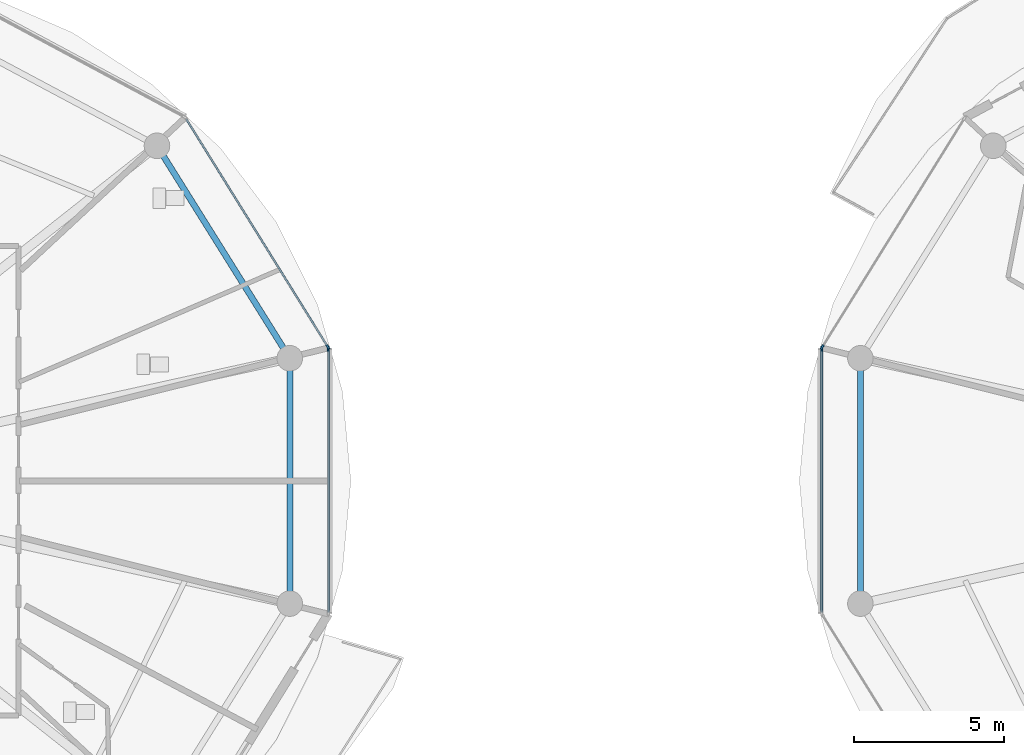
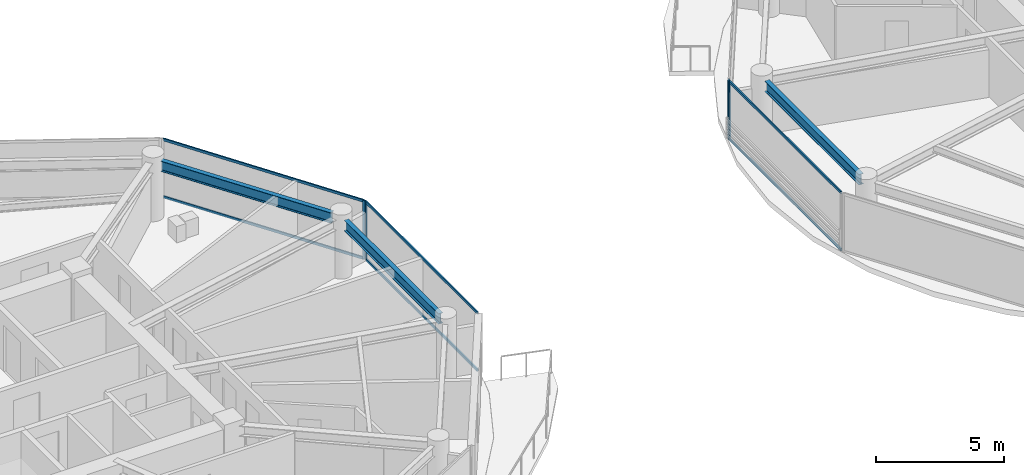
# One storey, part 7 of 24: 10 members, 3 beams, 4 elements without a shape of their own.
"""IFC4 building model written with IfcOpenShell, lengths in metres."""

from ifc_helpers import new_model, si_unit, direction, frame, origin, origin_2d, place, context, subcontext, project, spatial, rectangle, i_section, extrude, source, transform, mapped, material, layer, layer_set, material_profile, profile_set, type_object, type_shapes, element, aggregate, save


model = new_model("IFC4")

# Units and contexts
model_context = context("Model", 3, precision=1e-05, world=origin(), true_north=direction((0.0, 1.0)))
body_context = subcontext(model_context, "Body", "Model", "MODEL_VIEW")
ifc_project = project(units=[si_unit("LENGTHUNIT", "METRE"), si_unit("AREAUNIT", "SQUARE_METRE"), si_unit("VOLUMEUNIT", "CUBIC_METRE"), si_unit("PLANEANGLEUNIT", "RADIAN"), si_unit("MASSUNIT", "GRAM", prefix="KILO")], contexts=[model_context])

# Site, building, storey
site_placement = place(None, origin())
site = spatial("IfcSite", under=ifc_project, at=site_placement, CompositionType="ELEMENT")
building_placement = place(site_placement, origin())
building = spatial("IfcBuilding", under=site, at=building_placement, Name="Norrkilde Senior Care Towers", CompositionType="ELEMENT")
storey_placement = place(building_placement, frame((0.0, 0.0, 114.550048828125)))
storey = spatial("IfcBuildingStorey", under=building, at=storey_placement, Name="L35", CompositionType="ELEMENT", Elevation=114.550048828125)

# Beams
ifc_material_1 = material(Name="Steel S355", Category="steel")
ifc_material_profile_1 = material_profile(ifc_material_1, i_section(OverallWidth=0.199951171875, OverallDepth=0.5, WebThickness=0.01025390625, FlangeThickness=0.01611328125, FilletRadius=0.02099609375, at=origin_2d()), Name="IPE 500")
ifc_profile_set_1 = profile_set([ifc_material_profile_1], Name="Steel S355")
beam_type = type_object("IfcBeamType", Name="Perimeter Ring Spandrel Z2 IPE500", PredefinedType="SPANDREL", material=ifc_profile_set_1)
shared_shape_1 = source(origin(), body_context, "Body", "SweptSolid", [
    extrude(i_section(OverallWidth=0.199951171875, OverallDepth=0.5, WebThickness=0.01025390625, FlangeThickness=0.01611328125, FilletRadius=0.02099609375, at=origin_2d()), origin(), (0.0, 0.0, 1.0), 7.55615234375),
])
beam_placement = place(storey_placement, frame((-9.68505859375, 4.40283203125, 2.5400390625), z_axis=(-0.529981514254, 0.848009194849, 0.0), x_axis=(-0.848009194849, -0.529981514254, 0.0)))
element("IfcBeam", 1, at=beam_placement, inside=storey, type_object=beam_type, Name="L35 Drum W Perimeter Spandrel 01", PredefinedType="SPANDREL", context=body_context, shape_type="MappedRepresentation", body=[
    mapped(shared_shape_1, transform((0.0, 0.0, 0.0), x_axis=(1.0, 0.0, 0.0), y_axis=(0.0, 1.0, 0.0), z_axis=(0.0, 0.0, 1.0), scale=1.0)),
])
shared_shape_2 = source(origin(), body_context, "Body", "SweptSolid", [
    extrude(i_section(OverallWidth=0.199951171875, OverallDepth=0.5, WebThickness=0.01025390625, FlangeThickness=0.01611328125, FilletRadius=0.02099609375, at=origin_2d()), origin(), (0.0, 0.0, 1.0), 7.3828125),
])
type_shapes(beam_type, [shared_shape_1, shared_shape_2])
for number, where, z_axis, x_axis, name in (
    (2, (-9.48095703125, -3.69140625, 2.5400390625), (0.0, 1.0, 0.0), (-1.0, 0.0, 0.0), "L35 Drum W Perimeter Spandrel 12"),
    (3, (9.48095703125, 3.69140625, 2.5400390625), (0.0, -1.0, 0.0), (1.0, 0.0, 0.0), "L35 Drum E Perimeter Spandrel 06"),
):
    element("IfcBeam", number, at=place(storey_placement, frame(where, z_axis=z_axis, x_axis=x_axis)), inside=storey, type_object=beam_type, Name=name, PredefinedType="SPANDREL", context=body_context, shape_type="MappedRepresentation", body=[
        mapped(shared_shape_2, transform((0.0, 0.0, 0.0), x_axis=(1.0, 0.0, 0.0), y_axis=(0.0, 1.0, 0.0), z_axis=(0.0, 0.0, 1.0), scale=1.0)),
    ])

# Curtain wall, member
ifc_material_2 = material(Name="Triple Low-E Insulated Glazing", Category="glass")
ifc_layer = layer(ifc_material_2, 0.195068359375)
ifc_layer_set = layer_set([ifc_layer], Name="Triple Low-E Insulated Glazing")
curtain_wall_type = type_object("IfcCurtainWallType", Name="CW3 Zone 2 Assisted Living Curtain Wall", PredefinedType="NOTDEFINED", material=ifc_layer_set)
curtain_wall_1_placement = place(storey_placement, origin())
curtain_wall_1 = element("IfcCurtainWall", 4, at=curtain_wall_1_placement, inside=storey, type_object=curtain_wall_type, Name="L35 Drum W Curtain Wall 00", PredefinedType="NOTDEFINED")
ifc_material_3 = material(Name="Anodised Aluminium", Category="aluminium")
ifc_material_profile_2 = material_profile(ifc_material_3, rectangle(XDim=0.06494140625, YDim=0.159912109375, at=origin_2d()), Name="ALU MULL 65x160")
ifc_profile_set_2 = profile_set([ifc_material_profile_2], Name="Anodised Aluminium")
member_type_1 = type_object("IfcMemberType", Name="Curtain Wall Mullion Z1-Z2 65x160", PredefinedType="MULLION", material=ifc_profile_set_2)
shared_shape_3 = source(origin(), body_context, "Body", "SweptSolid", [
    extrude(rectangle(XDim=0.06494140625, YDim=0.159912109375, at=origin_2d()), origin(), (0.0, 0.0, 1.0), 2.7900390625),
])
type_shapes(member_type_1, [shared_shape_3])
member_1_placement = place(storey_placement, frame((-8.21337890625, 4.4482421875, 0.0), z_axis=(0.0, 0.0, 1.0), x_axis=(0.849410171862, 0.527733228002, 0.0)))
member_1 = element("IfcMember", 5, at=member_1_placement, type_object=member_type_1, Name="CW-3 mullion 2", PredefinedType="MULLION", context=body_context, shape_type="MappedRepresentation", body=[
    mapped(shared_shape_3, transform((0.0, 0.0, 0.0), x_axis=(1.0, 0.0, 0.0), y_axis=(0.0, 1.0, 0.0), z_axis=(0.0, 0.0, 1.0), scale=1.0)),
])

curtain_wall_2_placement = place(storey_placement, origin())
curtain_wall_2 = element("IfcCurtainWall", 6, at=curtain_wall_2_placement, inside=storey, type_object=curtain_wall_type, Name="L35 Drum W Curtain Wall 11", PredefinedType="NOTDEFINED")
member_2_placement = place(storey_placement, frame((-8.1962890625, 4.38818359375, 0.0), z_axis=(0.0, 0.0, 1.0), x_axis=(1.0, 0.0, 0.0)))
member_2 = element("IfcMember", 7, at=member_2_placement, type_object=member_type_1, Name="CW-3 mullion 1", PredefinedType="MULLION", context=body_context, shape_type="MappedRepresentation", body=[
    mapped(shared_shape_3, transform((0.0, 0.0, 0.0), x_axis=(1.0, 0.0, 0.0), y_axis=(0.0, 1.0, 0.0), z_axis=(0.0, 0.0, 1.0), scale=1.0)),
])

curtain_wall_3_placement = place(storey_placement, origin())
curtain_wall_3 = element("IfcCurtainWall", 8, at=curtain_wall_3_placement, inside=storey, type_object=curtain_wall_type, Name="L35 Drum E Curtain Wall 04", PredefinedType="NOTDEFINED")
member_3_placement = place(storey_placement, frame((8.21337890625, 4.4482421875, 0.0), z_axis=(0.0, 0.0, 1.0), x_axis=(-0.849410171862, 0.527733228002, 0.0)))
member_3 = element("IfcMember", 9, at=member_3_placement, type_object=member_type_1, Name="CW-3 mullion 1", PredefinedType="MULLION", context=body_context, shape_type="MappedRepresentation", body=[
    mapped(shared_shape_3, transform((0.0, 0.0, 0.0), x_axis=(1.0, 0.0, 0.0), y_axis=(0.0, 1.0, 0.0), z_axis=(0.0, 0.0, 1.0), scale=1.0)),
])
aggregate(curtain_wall_3, [member_3])

curtain_wall_4_placement = place(storey_placement, origin())
curtain_wall_4 = element("IfcCurtainWall", 10, at=curtain_wall_4_placement, inside=storey, type_object=curtain_wall_type, Name="L35 Drum E Curtain Wall 05", PredefinedType="NOTDEFINED")
member_4_placement = place(storey_placement, frame((8.1962890625, 4.38818359375, 0.0), z_axis=(0.0, 0.0, 1.0), x_axis=(-1.0, 0.0, 0.0)))
member_4 = element("IfcMember", 11, at=member_4_placement, type_object=member_type_1, Name="CW-3 mullion 2", PredefinedType="MULLION", context=body_context, shape_type="MappedRepresentation", body=[
    mapped(shared_shape_3, transform((0.0, 0.0, 0.0), x_axis=(1.0, 0.0, 0.0), y_axis=(0.0, 1.0, 0.0), z_axis=(0.0, 0.0, 1.0), scale=1.0)),
])

# Member
ifc_material_profile_3 = material_profile(ifc_material_3, rectangle(XDim=0.06005859375, YDim=0.1201171875, at=origin_2d()), Name="ALU TRAN 60x120")
ifc_profile_set_3 = profile_set([ifc_material_profile_3], Name="Anodised Aluminium")
member_type_2 = type_object("IfcMemberType", Name="Curtain Wall Transom Typical 60x120", PredefinedType="USERDEFINED", material=ifc_profile_set_3)
shared_shape_4 = source(origin(), body_context, "Body", "SweptSolid", [
    extrude(rectangle(XDim=0.06005859375, YDim=0.1201171875, at=origin_2d()), origin(), (0.0, 0.0, 1.0), 8.88427734375),
])
member_5_placement = place(storey_placement, frame((-12.919189453125, 12.022216796875, 0.030029296875), z_axis=(0.527749293309, -0.849400190377, 0.0), x_axis=(0.849400190377, 0.527749293309, 0.0)))
member_5 = element("IfcMember", 12, at=member_5_placement, type_object=member_type_2, Name="CW-3 transom 1.1", ObjectType="TRANSOM", PredefinedType="USERDEFINED", context=body_context, shape_type="MappedRepresentation", body=[
    mapped(shared_shape_4, transform((0.0, 0.0, 0.0), x_axis=(1.0, 0.0, 0.0), y_axis=(0.0, 1.0, 0.0), z_axis=(0.0, 0.0, 1.0), scale=1.0)),
])

member_6_placement = place(storey_placement, frame((-12.919189453125, 12.022216796875, 2.760009765625), z_axis=(0.527749293309, -0.849400190377, 0.0), x_axis=(0.849400190377, 0.527749293309, 0.0)))
member_6 = element("IfcMember", 13, at=member_6_placement, type_object=member_type_2, Name="CW-3 transom 1.2", ObjectType="TRANSOM", PredefinedType="USERDEFINED", context=body_context, shape_type="MappedRepresentation", body=[
    mapped(shared_shape_4, transform((0.0, 0.0, 0.0), x_axis=(1.0, 0.0, 0.0), y_axis=(0.0, 1.0, 0.0), z_axis=(0.0, 0.0, 1.0), scale=1.0)),
])

aggregate(curtain_wall_1, [member_1, member_5, member_6])

shared_shape_5 = source(origin(), body_context, "Body", "SweptSolid", [
    extrude(rectangle(XDim=0.06005859375, YDim=0.1201171875, at=origin_2d()), origin(), (0.0, 0.0, 1.0), 8.71142578125),
])
type_shapes(member_type_2, [shared_shape_4, shared_shape_5])
member_7_placement = place(storey_placement, frame((-8.1962890625, 4.355712890625, 0.030029296875), z_axis=(0.0, -1.0, 0.0), x_axis=(1.0, 0.0, 0.0)))
member_7 = element("IfcMember", 14, at=member_7_placement, type_object=member_type_2, Name="CW-3 transom 1.1", ObjectType="TRANSOM", PredefinedType="USERDEFINED", context=body_context, shape_type="MappedRepresentation", body=[
    mapped(shared_shape_5, transform((0.0, 0.0, 0.0), x_axis=(1.0, 0.0, 0.0), y_axis=(0.0, 1.0, 0.0), z_axis=(0.0, 0.0, 1.0), scale=1.0)),
])

member_8_placement = place(storey_placement, frame((-8.1962890625, 4.355712890625, 2.760009765625), z_axis=(0.0, -1.0, 0.0), x_axis=(1.0, 0.0, 0.0)))
member_8 = element("IfcMember", 15, at=member_8_placement, type_object=member_type_2, Name="CW-3 transom 1.2", ObjectType="TRANSOM", PredefinedType="USERDEFINED", context=body_context, shape_type="MappedRepresentation", body=[
    mapped(shared_shape_5, transform((0.0, 0.0, 0.0), x_axis=(1.0, 0.0, 0.0), y_axis=(0.0, 1.0, 0.0), z_axis=(0.0, 0.0, 1.0), scale=1.0)),
])

aggregate(curtain_wall_2, [member_2, member_7, member_8])

member_9_placement = place(storey_placement, frame((8.1962890625, -4.355712890625, 0.030029296875), z_axis=(0.0, 1.0, 0.0), x_axis=(-1.0, 0.0, 0.0)))
member_9 = element("IfcMember", 16, at=member_9_placement, type_object=member_type_2, Name="CW-3 transom 1.1", ObjectType="TRANSOM", PredefinedType="USERDEFINED", context=body_context, shape_type="MappedRepresentation", body=[
    mapped(shared_shape_5, transform((0.0, 0.0, 0.0), x_axis=(1.0, 0.0, 0.0), y_axis=(0.0, 1.0, 0.0), z_axis=(0.0, 0.0, 1.0), scale=1.0)),
])

member_10_placement = place(storey_placement, frame((8.1962890625, -4.355712890625, 2.760009765625), z_axis=(0.0, 1.0, 0.0), x_axis=(-1.0, 0.0, 0.0)))
member_10 = element("IfcMember", 17, at=member_10_placement, type_object=member_type_2, Name="CW-3 transom 1.2", ObjectType="TRANSOM", PredefinedType="USERDEFINED", context=body_context, shape_type="MappedRepresentation", body=[
    mapped(shared_shape_5, transform((0.0, 0.0, 0.0), x_axis=(1.0, 0.0, 0.0), y_axis=(0.0, 1.0, 0.0), z_axis=(0.0, 0.0, 1.0), scale=1.0)),
])

aggregate(curtain_wall_4, [member_4, member_9, member_10])

save(model, "model.ifc")
